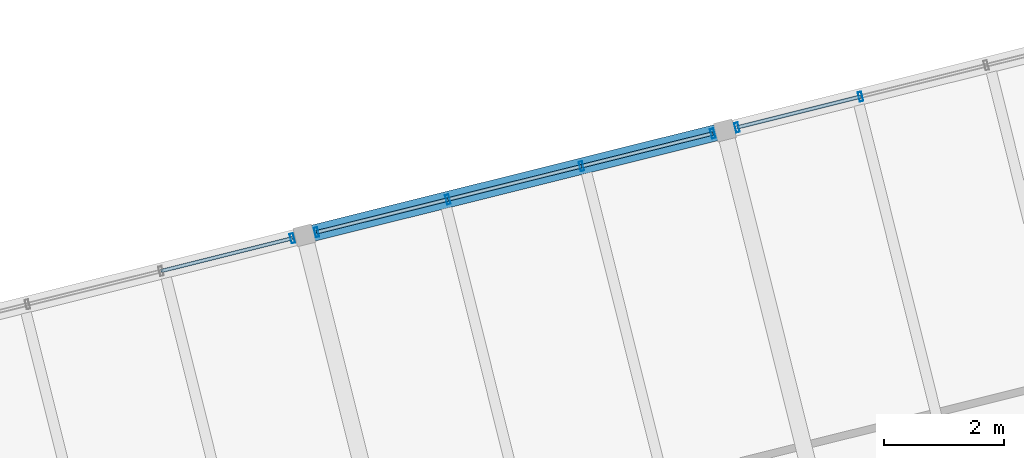
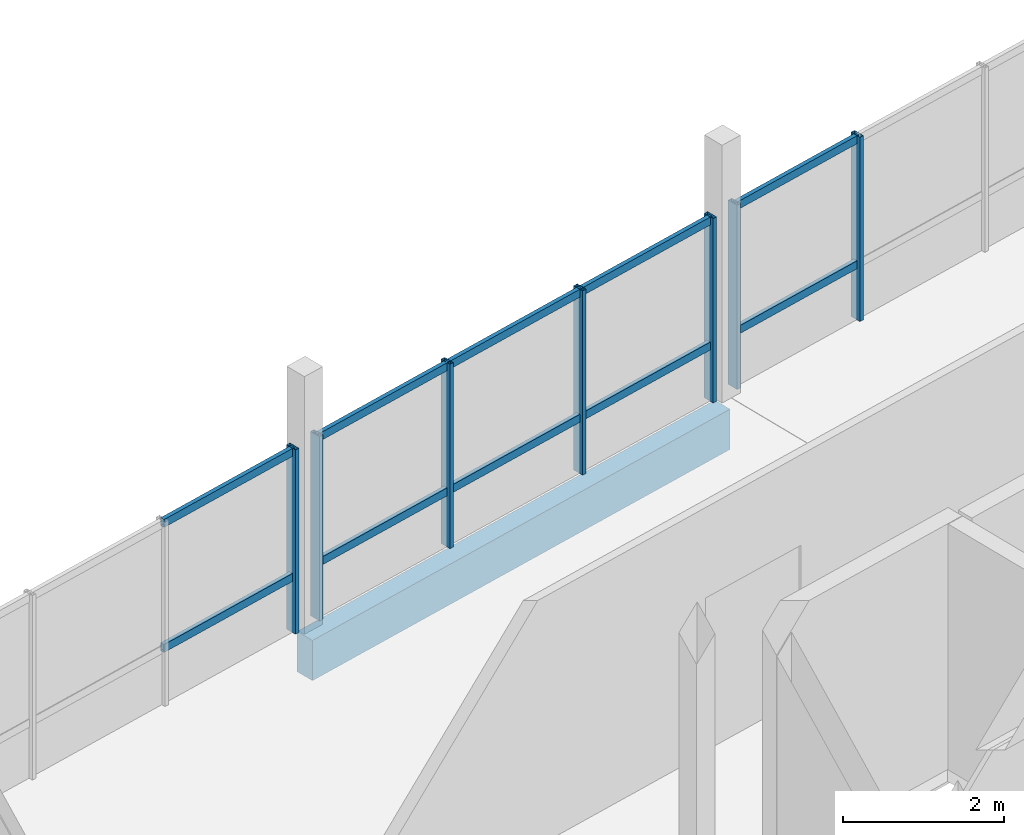
# One storey, part 19 of 25: 17 members, 1 beam, 3 elements without a shape of their own.
"""IFC4 building model written with IfcOpenShell, lengths in metres."""

from ifc_helpers import new_model, si_unit, direction, frame, origin, origin_2d, place, context, subcontext, project, spatial, rectangle, hollow_rectangle, extrude, material, layer, layer_set, material_profile, profile_set, type_object, element, aggregate, save


model = new_model("IFC4")

# Units and contexts
model_context = context("Model", 3, precision=1e-05, world=origin(), true_north=direction((0.0, 1.0)))
body_context = subcontext(model_context, "Body", "Model", "MODEL_VIEW")
ifc_project = project(units=[si_unit("LENGTHUNIT", "METRE"), si_unit("AREAUNIT", "SQUARE_METRE"), si_unit("VOLUMEUNIT", "CUBIC_METRE"), si_unit("PLANEANGLEUNIT", "RADIAN"), si_unit("MASSUNIT", "GRAM", prefix="KILO")], contexts=[model_context])

# Site, building, storey
site_placement = place(None, origin())
site = spatial("IfcSite", under=ifc_project, at=site_placement, CompositionType="ELEMENT")
building_placement = place(site_placement, origin())
building = spatial("IfcBuilding", under=site, at=building_placement, Name="Meriwether Solvik Hall", CompositionType="ELEMENT")
storey_placement = place(building_placement, frame((0.0, 0.0, 49.5)))
storey = spatial("IfcBuildingStorey", under=building, at=storey_placement, Name="L12", CompositionType="ELEMENT", Elevation=49.5)

# Beam
ifc_material_1 = material(Name="Glulam Douglas-Fir 24F-V8 GL28h", Category="wood")
ifc_material_profile_1 = material_profile(ifc_material_1, rectangle(XDim=0.27294921875, YDim=0.610107421875, at=origin_2d()), Name="GLB-273X610")
ifc_profile_set_1 = profile_set([ifc_material_profile_1], Name="Glulam Douglas-Fir 24F-V8 GL28h")
beam_type = type_object("IfcBeamType", Name="BM-GL-273X610", PredefinedType="SPANDREL", material=ifc_profile_set_1)
beam_placement = place(storey_placement, frame((83.172607421875, 73.690673828125, -0.485107421875), z_axis=(0.970301855688, 0.241897310542, 0.0), x_axis=(-0.241897310542, 0.970301855688, 0.0)))
element("IfcBeam", 1, at=beam_placement, inside=storey, type_object=beam_type, Name="Tower Girder TE:T4-T5 (L12)", PredefinedType="SPANDREL", context=body_context, shape_type="SweptSolid", body=[
    extrude(rectangle(XDim=0.27294921875, YDim=0.610107421875, at=origin_2d()), origin(), (0.0, 0.0, 1.0), 7.2001953125),
])

# Curtain wall, member
ifc_material_2 = material(Name="Thermally Broken Anodised Aluminium 6063-T6 and Low-E Glass", Category="aluminium")
ifc_layer_1 = layer(ifc_material_2, 0.179931640625)
ifc_layer_set_1 = layer_set([ifc_layer_1], Name="Thermally Broken Anodised Aluminium 6063-T6 and Low-E Glass")
curtain_wall_type_1 = type_object("IfcCurtainWallType", Name="CW-UNIT-G", PredefinedType="USERDEFINED", material=ifc_layer_set_1)
curtain_wall_1_placement = place(storey_placement, origin())
curtain_wall_1 = element("IfcCurtainWall", 2, at=curtain_wall_1_placement, inside=storey, type_object=curtain_wall_type_1, Name="Curtain Wall E2_B2 (L12)", ObjectType="UNITISED CURTAIN WALL", PredefinedType="USERDEFINED")
ifc_material_3 = material(Name="Anodised Aluminium 6063-T6", Category="aluminium")
ifc_material_profile_2 = material_profile(ifc_material_3, hollow_rectangle(XDim=0.06005859375, YDim=0.159912109375, WallThickness=0.00390625, at=origin_2d()), Name="CWM-60X160")
ifc_profile_set_2 = profile_set([ifc_material_profile_2], Name="Anodised Aluminium 6063-T6")
member_type_1 = type_object("IfcMemberType", Name="CW-MUL-60X160", PredefinedType="MULLION", material=ifc_profile_set_2)
member_1_placement = place(storey_placement, frame((82.971435546875, 73.640380859375, 0.0), z_axis=(0.0, 0.0, 1.0), x_axis=(0.970295730764, 0.241921877598, 0.0)))
member_1 = element("IfcMember", 3, at=member_1_placement, type_object=member_type_1, Name="Curtain Wall Mullion 4", PredefinedType="MULLION", context=body_context, shape_type="SweptSolid", body=[
    extrude(hollow_rectangle(XDim=0.06005859375, YDim=0.159912109375, WallThickness=0.00390625, at=origin_2d()), origin(), (0.0, 0.0, 1.0), 2.7900390625),
])

# Curtain wall, members
ifc_material_4 = material(Name="Thermally Broken Anodised Aluminium 6063-T6 and Low-E Glass", Category="aluminium")
ifc_layer_2 = layer(ifc_material_4, 0.179931640625)
ifc_layer_set_2 = layer_set([ifc_layer_2], Name="Thermally Broken Anodised Aluminium 6063-T6 and Low-E Glass")
curtain_wall_type_2 = type_object("IfcCurtainWallType", Name="CW-UNIT-A", PredefinedType="USERDEFINED", material=ifc_layer_set_2)
curtain_wall_2_placement = place(storey_placement, origin())
curtain_wall_2 = element("IfcCurtainWall", 4, at=curtain_wall_2_placement, inside=storey, type_object=curtain_wall_type_2, Name="Curtain Wall E2_B3 (L12)", ObjectType="UNITISED CURTAIN WALL", PredefinedType="USERDEFINED")
member_2_placement = place(storey_placement, frame((83.3740234375, 73.74072265625, 0.0), z_axis=(0.0, 0.0, 1.0), x_axis=(0.970295730764, 0.241921877598, 0.0)))
member_2 = element("IfcMember", 5, at=member_2_placement, type_object=member_type_1, Name="Curtain Wall Mullion 1", PredefinedType="MULLION", context=body_context, shape_type="SweptSolid", body=[
    extrude(hollow_rectangle(XDim=0.06005859375, YDim=0.159912109375, WallThickness=0.00390625, at=origin_2d()), origin(), (0.0, 0.0, 1.0), 2.7900390625),
])
member_3_placement = place(storey_placement, frame((85.55615234375, 74.284912109375, 0.0), z_axis=(0.0, 0.0, 1.0), x_axis=(0.970295730764, 0.241921877598, 0.0)))
member_3 = element("IfcMember", 6, at=member_3_placement, type_object=member_type_1, Name="Curtain Wall Mullion 2", PredefinedType="MULLION", context=body_context, shape_type="SweptSolid", body=[
    extrude(hollow_rectangle(XDim=0.06005859375, YDim=0.159912109375, WallThickness=0.00390625, at=origin_2d()), origin(), (0.0, 0.0, 1.0), 2.7900390625),
])
member_4_placement = place(storey_placement, frame((87.775390625, 74.838134765625, 0.0), z_axis=(0.0, 0.0, 1.0), x_axis=(0.970295730764, 0.241921877598, 0.0)))
member_4 = element("IfcMember", 7, at=member_4_placement, type_object=member_type_1, Name="Curtain Wall Mullion 3", PredefinedType="MULLION", context=body_context, shape_type="SweptSolid", body=[
    extrude(hollow_rectangle(XDim=0.06005859375, YDim=0.159912109375, WallThickness=0.00390625, at=origin_2d()), origin(), (0.0, 0.0, 1.0), 2.7900390625),
])
member_5_placement = place(storey_placement, frame((89.95751953125, 75.382080078125, 0.0), z_axis=(0.0, 0.0, 1.0), x_axis=(0.970295730764, 0.241921877598, 0.0)))
member_5 = element("IfcMember", 8, at=member_5_placement, type_object=member_type_1, Name="Curtain Wall Mullion 4", PredefinedType="MULLION", context=body_context, shape_type="SweptSolid", body=[
    extrude(hollow_rectangle(XDim=0.06005859375, YDim=0.159912109375, WallThickness=0.00390625, at=origin_2d()), origin(), (0.0, 0.0, 1.0), 2.7900390625),
])

ifc_material_5 = material(Name="Thermally Broken Anodised Aluminium 6063-T6 and Low-E Glass", Category="aluminium")
ifc_layer_3 = layer(ifc_material_5, 0.179931640625)
ifc_layer_set_3 = layer_set([ifc_layer_3], Name="Thermally Broken Anodised Aluminium 6063-T6 and Low-E Glass")
curtain_wall_type_3 = type_object("IfcCurtainWallType", Name="CW-UNIT-B", PredefinedType="USERDEFINED", material=ifc_layer_set_3)
curtain_wall_3_placement = place(storey_placement, origin())
curtain_wall_3 = element("IfcCurtainWall", 9, at=curtain_wall_3_placement, inside=storey, type_object=curtain_wall_type_3, Name="Curtain Wall E2_B4 (L12)", ObjectType="UNITISED CURTAIN WALL", PredefinedType="USERDEFINED")
member_6_placement = place(storey_placement, frame((90.360107421875, 75.482666015625, 0.0), z_axis=(0.0, 0.0, 1.0), x_axis=(0.970295706127, 0.241921976413, 0.0)))
member_6 = element("IfcMember", 10, at=member_6_placement, type_object=member_type_1, Name="Curtain Wall Mullion 1", PredefinedType="MULLION", context=body_context, shape_type="SweptSolid", body=[
    extrude(hollow_rectangle(XDim=0.06005859375, YDim=0.159912109375, WallThickness=0.00390625, at=origin_2d()), origin(), (0.0, 0.0, 1.0), 2.7900390625),
])
member_7_placement = place(storey_placement, frame((92.4130859375, 75.994384765625, 0.0), z_axis=(0.0, 0.0, 1.0), x_axis=(0.970295706127, 0.241921976413, 0.0)))
member_7 = element("IfcMember", 11, at=member_7_placement, type_object=member_type_1, Name="Curtain Wall Mullion 2", PredefinedType="MULLION", context=body_context, shape_type="SweptSolid", body=[
    extrude(hollow_rectangle(XDim=0.06005859375, YDim=0.159912109375, WallThickness=0.00390625, at=origin_2d()), origin(), (0.0, 0.0, 1.0), 2.7900390625),
])

# Member
ifc_material_6 = material(Name="Anodised Aluminium 6063-T6", Category="aluminium")
ifc_material_profile_3 = material_profile(ifc_material_6, hollow_rectangle(XDim=0.06005859375, YDim=0.1201171875, WallThickness=0.00390625, at=origin_2d()), Name="CWT-60X120")
ifc_profile_set_3 = profile_set([ifc_material_profile_3], Name="Anodised Aluminium 6063-T6")
member_type_2 = type_object("IfcMemberType", Name="CW-TRN-60X120", PredefinedType="USERDEFINED", material=ifc_profile_set_3)
member_8_placement = place(storey_placement, frame((80.7890625, 73.09619140625, 0.8369140625), z_axis=(0.970289178123, 0.241948157292, 0.0), x_axis=(-0.241948157292, 0.970289178123, 0.0)))
member_8 = element("IfcMember", 12, at=member_8_placement, type_object=member_type_2, Name="Curtain Wall Transom 3-sill", ObjectType="TRANSOM", PredefinedType="USERDEFINED", context=body_context, shape_type="SweptSolid", body=[
    extrude(hollow_rectangle(XDim=0.06005859375, YDim=0.1201171875, WallThickness=0.00390625, at=origin_2d()), origin(), (0.0, 0.0, 1.0), 2.249267578125),
])

member_9_placement = place(storey_placement, frame((80.7890625, 73.09619140625, 2.72998046875), z_axis=(0.970289178123, 0.241948157292, 0.0), x_axis=(-0.241948157292, 0.970289178123, 0.0)))
member_9 = element("IfcMember", 13, at=member_9_placement, type_object=member_type_2, Name="Curtain Wall Transom 3-head", ObjectType="TRANSOM", PredefinedType="USERDEFINED", context=body_context, shape_type="SweptSolid", body=[
    extrude(hollow_rectangle(XDim=0.06005859375, YDim=0.1201171875, WallThickness=0.00390625, at=origin_2d()), origin(), (0.0, 0.0, 1.0), 2.249267578125),
])

aggregate(curtain_wall_1, [member_1, member_8, member_9])

member_10_placement = place(storey_placement, frame((83.3740234375, 73.74072265625, 0.8369140625), z_axis=(0.970282822978, 0.241973642025, 0.0), x_axis=(-0.241973642025, 0.970282822978, 0.0)))
member_10 = element("IfcMember", 14, at=member_10_placement, type_object=member_type_2, Name="Curtain Wall Transom 1-sill", ObjectType="TRANSOM", PredefinedType="USERDEFINED", context=body_context, shape_type="SweptSolid", body=[
    extrude(hollow_rectangle(XDim=0.06005859375, YDim=0.1201171875, WallThickness=0.00390625, at=origin_2d()), origin(), (0.0, 0.0, 1.0), 2.2490234375),
])

member_11_placement = place(storey_placement, frame((83.3740234375, 73.74072265625, 2.72998046875), z_axis=(0.970282822978, 0.241973642025, 0.0), x_axis=(-0.241973642025, 0.970282822978, 0.0)))
member_11 = element("IfcMember", 15, at=member_11_placement, type_object=member_type_2, Name="Curtain Wall Transom 1-head", ObjectType="TRANSOM", PredefinedType="USERDEFINED", context=body_context, shape_type="SweptSolid", body=[
    extrude(hollow_rectangle(XDim=0.06005859375, YDim=0.1201171875, WallThickness=0.00390625, at=origin_2d()), origin(), (0.0, 0.0, 1.0), 2.2490234375),
])

member_12_placement = place(storey_placement, frame((85.55615234375, 74.284912109375, 0.8369140625), z_axis=(0.970305536326, 0.241882546239, 0.0), x_axis=(-0.241882546239, 0.970305536326, 0.0)))
member_12 = element("IfcMember", 16, at=member_12_placement, type_object=member_type_2, Name="Curtain Wall Transom 2-sill", ObjectType="TRANSOM", PredefinedType="USERDEFINED", context=body_context, shape_type="SweptSolid", body=[
    extrude(hollow_rectangle(XDim=0.06005859375, YDim=0.1201171875, WallThickness=0.00390625, at=origin_2d()), origin(), (0.0, 0.0, 1.0), 2.287109375),
])

member_13_placement = place(storey_placement, frame((85.55615234375, 74.284912109375, 2.72998046875), z_axis=(0.970305536326, 0.241882546239, 0.0), x_axis=(-0.241882546239, 0.970305536326, 0.0)))
member_13 = element("IfcMember", 17, at=member_13_placement, type_object=member_type_2, Name="Curtain Wall Transom 2-head", ObjectType="TRANSOM", PredefinedType="USERDEFINED", context=body_context, shape_type="SweptSolid", body=[
    extrude(hollow_rectangle(XDim=0.06005859375, YDim=0.1201171875, WallThickness=0.00390625, at=origin_2d()), origin(), (0.0, 0.0, 1.0), 2.287109375),
])

member_14_placement = place(storey_placement, frame((87.775390625, 74.838134765625, 0.8369140625), z_axis=(0.970308305597, 0.241871437108, 0.0), x_axis=(-0.241871437108, 0.970308305597, 0.0)))
member_14 = element("IfcMember", 18, at=member_14_placement, type_object=member_type_2, Name="Curtain Wall Transom 3-sill", ObjectType="TRANSOM", PredefinedType="USERDEFINED", context=body_context, shape_type="SweptSolid", body=[
    extrude(hollow_rectangle(XDim=0.06005859375, YDim=0.1201171875, WallThickness=0.00390625, at=origin_2d()), origin(), (0.0, 0.0, 1.0), 2.2490234375),
])

member_15_placement = place(storey_placement, frame((87.775390625, 74.838134765625, 2.72998046875), z_axis=(0.970308305597, 0.241871437108, 0.0), x_axis=(-0.241871437108, 0.970308305597, 0.0)))
member_15 = element("IfcMember", 19, at=member_15_placement, type_object=member_type_2, Name="Curtain Wall Transom 3-head", ObjectType="TRANSOM", PredefinedType="USERDEFINED", context=body_context, shape_type="SweptSolid", body=[
    extrude(hollow_rectangle(XDim=0.06005859375, YDim=0.1201171875, WallThickness=0.00390625, at=origin_2d()), origin(), (0.0, 0.0, 1.0), 2.2490234375),
])

aggregate(curtain_wall_2, [member_2, member_3, member_4, member_5, member_10, member_11, member_12, member_13, member_14, member_15])

member_16_placement = place(storey_placement, frame((90.360107421875, 75.482666015625, 0.8369140625), z_axis=(0.970311953425, 0.241856802757, 0.0), x_axis=(-0.241856802757, 0.970311953425, 0.0)))
member_16 = element("IfcMember", 20, at=member_16_placement, type_object=member_type_2, Name="Curtain Wall Transom 1-sill", ObjectType="TRANSOM", PredefinedType="USERDEFINED", context=body_context, shape_type="SweptSolid", body=[
    extrude(hollow_rectangle(XDim=0.06005859375, YDim=0.1201171875, WallThickness=0.00390625, at=origin_2d()), origin(), (0.0, 0.0, 1.0), 2.11572265625),
])

member_17_placement = place(storey_placement, frame((90.360107421875, 75.482666015625, 2.72998046875), z_axis=(0.970311953425, 0.241856802757, 0.0), x_axis=(-0.241856802757, 0.970311953425, 0.0)))
member_17 = element("IfcMember", 21, at=member_17_placement, type_object=member_type_2, Name="Curtain Wall Transom 1-head", ObjectType="TRANSOM", PredefinedType="USERDEFINED", context=body_context, shape_type="SweptSolid", body=[
    extrude(hollow_rectangle(XDim=0.06005859375, YDim=0.1201171875, WallThickness=0.00390625, at=origin_2d()), origin(), (0.0, 0.0, 1.0), 2.11572265625),
])

aggregate(curtain_wall_3, [member_6, member_7, member_16, member_17])

save(model, "model.ifc")
